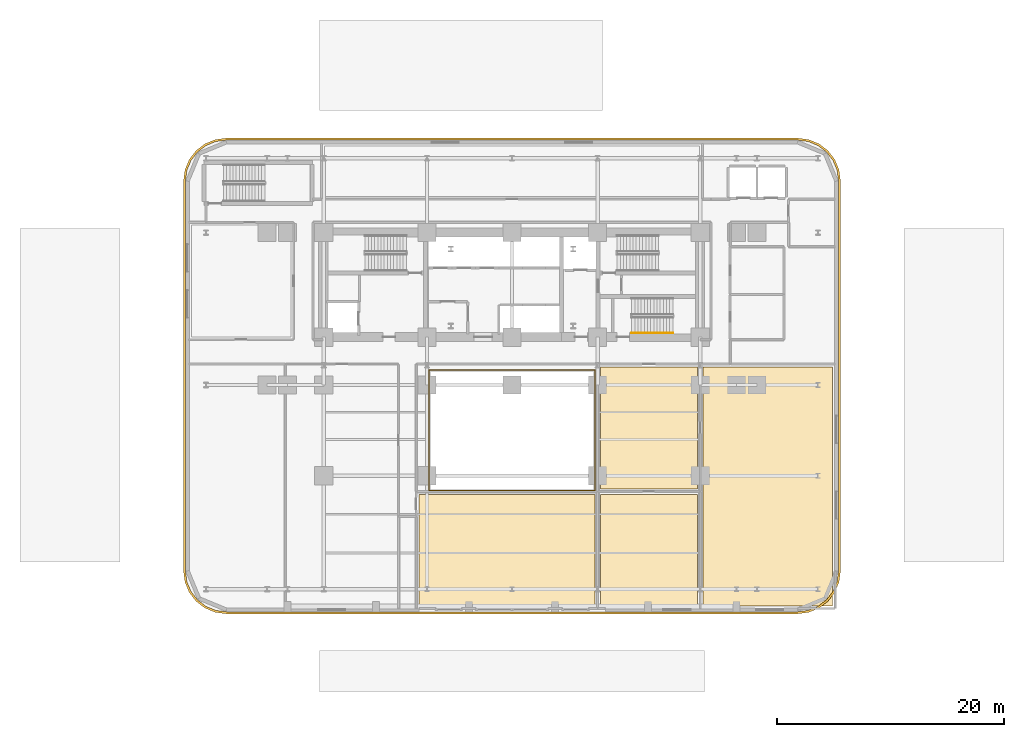
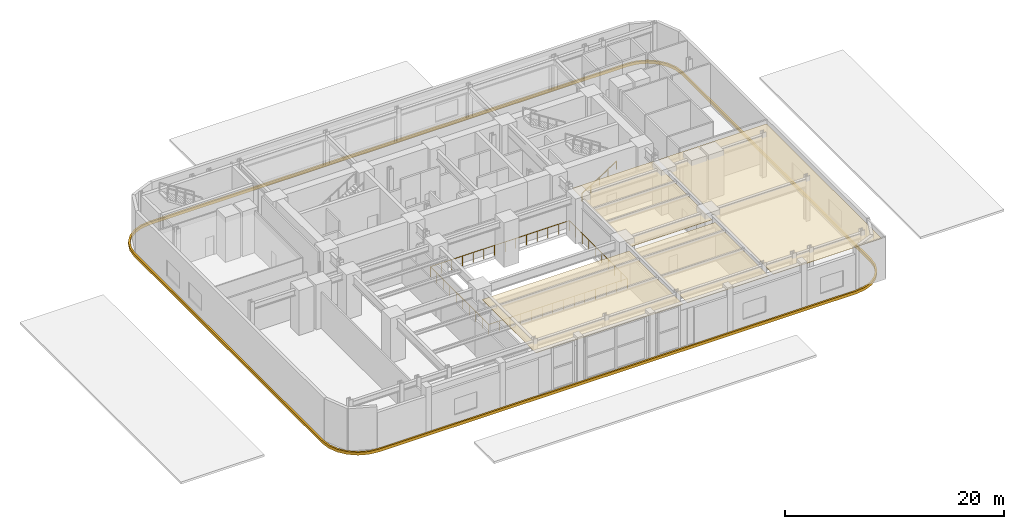
# One storey, part 9 of 12: 5 coverings, 2 railings.
"""IFC4 building model written with IfcOpenShell, lengths in metres."""

from ifc_helpers import new_model, si_unit, direction, frame, origin, origin_2d, place, context, subcontext, project, spatial, polyline, rectangle, outline, extrude, material, layer, layer_set, type_object, element, save


model = new_model("IFC4")

# Units and contexts
model_context = context("Model", 3, precision=1e-05, world=origin(), true_north=direction((0.0, 1.0)))
body_context = subcontext(model_context, "Body", "Model", "MODEL_VIEW")
ifc_project = project(units=[si_unit("LENGTHUNIT", "METRE"), si_unit("AREAUNIT", "SQUARE_METRE"), si_unit("VOLUMEUNIT", "CUBIC_METRE"), si_unit("PLANEANGLEUNIT", "RADIAN"), si_unit("MASSUNIT", "GRAM", prefix="KILO")], contexts=[model_context])

# Site, building, storey
site_placement = place(None, origin())
site = spatial("IfcSite", under=ifc_project, at=site_placement, CompositionType="ELEMENT")
building_placement = place(site_placement, origin())
building = spatial("IfcBuilding", under=site, at=building_placement, Name="Zarnavel Station Tower", CompositionType="ELEMENT")
storey_placement = place(building_placement, frame((0.0, 0.0, 5.39990234375)))
storey = spatial("IfcBuildingStorey", under=building, at=storey_placement, Name="L02", CompositionType="ELEMENT", Elevation=5.39990234375)

# Coverings
ifc_material_1 = material(Name="Perforated Gypsum and Mineral-Wool Acoustic Ceiling", Category="concrete")
ifc_layer = layer(ifc_material_1, 0.0400390625)
ifc_layer_set = layer_set([ifc_layer], Name="COV_CEIL_ACOUSTIC")
covering_type_1 = type_object("IfcCoveringType", Name="COV_CEIL_ACOUSTIC", PredefinedType="CEILING", material=ifc_layer_set)
covering_1_placement = place(storey_placement, frame((0.0, 0.0, 4.380126953125)))
element("IfcCovering", 1, at=covering_1_placement, inside=storey, type_object=covering_type_1, Name="L02 CAFE Acoustic Ceiling", PredefinedType="CEILING", context=body_context, shape_type="SweptSolid", body=[
    extrude(outline(polyline([(20.60009765625, 4.1298828125), (36.10009765625, 4.1298828125), (36.10009765625, 13.949951171875), (20.60009765625, 13.949951171875), (20.60009765625, 4.1298828125)])), origin(), (0.0, 0.0, 1.0), 0.0400390625),
])
covering_2_placement = place(storey_placement, frame((0.0, 0.0, 4.380126953125)))
element("IfcCovering", 2, at=covering_2_placement, inside=storey, type_object=covering_type_1, Name="L02 RET1 Acoustic Ceiling", PredefinedType="CEILING", context=body_context, shape_type="SweptSolid", body=[
    extrude(outline(polyline([(36.60009765625, 4.1298828125), (45.14990234375, 4.1298828125), (45.14990234375, 13.949951171875), (36.60009765625, 13.949951171875), (36.60009765625, 4.1298828125)])), origin(), (0.0, 0.0, 1.0), 0.0400390625),
])
covering_3_placement = place(storey_placement, frame((0.0, 0.0, 4.380126953125)))
element("IfcCovering", 3, at=covering_3_placement, inside=storey, type_object=covering_type_1, Name="L02 RET3 Acoustic Ceiling", PredefinedType="CEILING", context=body_context, shape_type="SweptSolid", body=[
    extrude(outline(polyline([(36.60009765625, 14.449951171875), (45.14990234375, 14.449951171875), (45.14990234375, 25.199951171875), (36.60009765625, 25.199951171875), (36.60009765625, 14.449951171875)])), origin(), (0.0, 0.0, 1.0), 0.0400390625),
])
covering_4_placement = place(storey_placement, frame((0.0, 0.0, 4.380126953125)))
element("IfcCovering", 4, at=covering_4_placement, inside=storey, type_object=covering_type_1, Name="L02 RET4 Acoustic Ceiling", PredefinedType="CEILING", context=body_context, shape_type="SweptSolid", body=[
    extrude(outline(polyline([(45.64990234375, 4.1298828125), (57.070068359375, 4.1298828125), (57.070068359375, 25.199951171875), (45.64990234375, 25.199951171875), (45.64990234375, 4.1298828125)])), origin(), (0.0, 0.0, 1.0), 0.0400390625),
])
ifc_material_2 = material(Name="Precast concrete C45/55 (Pale Travertine Slab Band)", Category="masonry")
covering_type_2 = type_object("IfcCoveringType", Name="COV_TRAVERTINE_BAND", PredefinedType="CLADDING", material=ifc_material_2)
covering_5_placement = place(storey_placement, frame((0.0, 0.0, -0.260009765625)))
element("IfcCovering", 5, at=covering_5_placement, inside=storey, type_object=covering_type_2, Name="L02 Pale Travertine Slab-Edge Band", PredefinedType="CLADDING", context=body_context, shape_type="SweptSolid", body=[
    extrude(outline(polyline([(54.0, 3.419921875), (54.978271484375, 3.548828125), (55.889892578125, 3.926513671875), (56.6728515625, 4.527099609375), (57.273681640625, 5.31005859375), (57.651123046875, 6.2216796875), (57.780029296875, 7.199951171875), (57.780029296875, 41.60009765625), (57.651123046875, 42.578369140625), (57.273681640625, 43.489990234375), (56.6728515625, 44.27294921875), (55.889892578125, 44.87353515625), (54.978271484375, 45.251220703125), (54.0, 45.3798828125), (3.60009765625, 45.3798828125), (2.62158203125, 45.251220703125), (1.7099609375, 44.87353515625), (0.927001953125, 44.27294921875), (0.326416015625, 43.489990234375), (-0.05126953125, 42.578369140625), (-0.179931640625, 41.60009765625), (-0.179931640625, 7.199951171875), (-0.05126953125, 6.2216796875), (0.326416015625, 5.31005859375), (0.927001953125, 4.527099609375), (1.7099609375, 3.926513671875), (2.62158203125, 3.548828125), (3.60009765625, 3.419921875), (54.0, 3.419921875)]), holes=[polyline([(54.0, 3.60009765625), (54.931640625, 3.72265625), (55.800048828125, 4.082275390625), (56.545654296875, 4.654296875), (57.11767578125, 5.39990234375), (57.477294921875, 6.268310546875), (57.60009765625, 7.199951171875), (57.60009765625, 41.60009765625), (57.477294921875, 42.53173828125), (57.11767578125, 43.39990234375), (56.545654296875, 44.1455078125), (55.800048828125, 44.7177734375), (54.931640625, 45.077392578125), (54.0, 45.199951171875), (3.60009765625, 45.199951171875), (2.668212890625, 45.077392578125), (1.800048828125, 44.7177734375), (1.054443359375, 44.1455078125), (0.482421875, 43.39990234375), (0.122802734375, 42.53173828125), (0.0, 41.60009765625), (0.0, 7.199951171875), (0.122802734375, 6.268310546875), (0.482421875, 5.39990234375), (1.054443359375, 4.654296875), (1.800048828125, 4.082275390625), (2.668212890625, 3.72265625), (3.60009765625, 3.60009765625), (54.0, 3.60009765625)])]), origin(), (0.0, 0.0, 1.0), 0.320068359375),
])

# Railings
ifc_material_3 = material(Name="Painted Steel S355J2 Balustrade", Category="steel")
railing_type_1 = type_object("IfcRailingType", Name="GR_INT_1150", PredefinedType="GUARDRAIL", material=ifc_material_3)
railing_1_placement = place(storey_placement, frame((21.47998046875, 14.280029296875, 0.0)))
element("IfcRailing", 6, at=railing_1_placement, inside=storey, type_object=railing_type_1, Name="L02 Atrium Void Guardrail", PredefinedType="GUARDRAIL", context=body_context, shape_type="SweptSolid", body=[
    extrude(rectangle(XDim=0.048095703125, YDim=0.048095703125, at=origin_2d()), frame((0.001953125, 0.0, 1.1259765625), z_axis=(1.0, 0.0, 0.0), x_axis=(0.0, 1.0, 0.0)), (0.0, 0.0, 1.0), 14.63623046875),
    extrude(rectangle(XDim=0.048095703125, YDim=0.048095703125, at=origin_2d()), frame((14.64013671875, 0.001953125, 1.1259765625), z_axis=(0.0, 1.0, 0.0), x_axis=(-1.0, 0.0, 0.0)), (0.0, 0.0, 1.0), 10.635986328125),
    extrude(rectangle(XDim=0.048095703125, YDim=0.048095703125, at=origin_2d()), frame((14.63818359375, 10.639892578125, 1.1259765625), z_axis=(-1.0, 0.0, 0.0), x_axis=(0.0, -1.0, 0.0)), (0.0, 0.0, 1.0), 14.63623046875),
    extrude(rectangle(XDim=0.048095703125, YDim=0.048095703125, at=origin_2d()), frame((0.0, 10.637939453125, 1.1259765625), z_axis=(0.0, -1.0, 0.0), x_axis=(1.0, 0.0, 0.0)), (0.0, 0.0, 1.0), 10.635986328125),
    extrude(rectangle(XDim=0.0419921875, YDim=0.0419921875, at=origin_2d()), origin(), (0.0, 0.0, 1.0), 1.101806640625),
    extrude(rectangle(XDim=0.0419921875, YDim=0.0419921875, at=origin_2d()), frame((1.126220703125, 0.0, 0.0)), (0.0, 0.0, 1.0), 1.101806640625),
    extrude(rectangle(XDim=0.0419921875, YDim=0.0419921875, at=origin_2d()), frame((2.25244140625, 0.0, 0.0)), (0.0, 0.0, 1.0), 1.101806640625),
    extrude(rectangle(XDim=0.0419921875, YDim=0.0419921875, at=origin_2d()), frame((3.37841796875, 0.0, 0.0)), (0.0, 0.0, 1.0), 1.101806640625),
    extrude(rectangle(XDim=0.0419921875, YDim=0.0419921875, at=origin_2d()), frame((4.504638671875, 0.0, 0.0)), (0.0, 0.0, 1.0), 1.101806640625),
    extrude(rectangle(XDim=0.0419921875, YDim=0.0419921875, at=origin_2d()), frame((5.630859375, 0.0, 0.0)), (0.0, 0.0, 1.0), 1.101806640625),
    extrude(rectangle(XDim=0.0419921875, YDim=0.0419921875, at=origin_2d()), frame((6.757080078125, 0.0, 0.0)), (0.0, 0.0, 1.0), 1.101806640625),
    extrude(rectangle(XDim=0.0419921875, YDim=0.0419921875, at=origin_2d()), frame((7.883056640625, 0.0, 0.0)), (0.0, 0.0, 1.0), 1.101806640625),
    extrude(rectangle(XDim=0.0419921875, YDim=0.0419921875, at=origin_2d()), frame((9.00927734375, 0.0, 0.0)), (0.0, 0.0, 1.0), 1.101806640625),
    extrude(rectangle(XDim=0.0419921875, YDim=0.0419921875, at=origin_2d()), frame((10.135498046875, 0.0, 0.0)), (0.0, 0.0, 1.0), 1.101806640625),
    extrude(rectangle(XDim=0.0419921875, YDim=0.0419921875, at=origin_2d()), frame((11.26171875, 0.0, 0.0)), (0.0, 0.0, 1.0), 1.101806640625),
    extrude(rectangle(XDim=0.0419921875, YDim=0.0419921875, at=origin_2d()), frame((12.3876953125, 0.0, 0.0)), (0.0, 0.0, 1.0), 1.101806640625),
    extrude(rectangle(XDim=0.0419921875, YDim=0.0419921875, at=origin_2d()), frame((13.513916015625, 0.0, 0.0)), (0.0, 0.0, 1.0), 1.101806640625),
    extrude(rectangle(XDim=0.0419921875, YDim=0.0419921875, at=origin_2d()), frame((14.64013671875, 0.0, 0.0)), (0.0, 0.0, 1.0), 1.101806640625),
    extrude(rectangle(XDim=0.0419921875, YDim=0.0419921875, at=origin_2d()), frame((14.64013671875, 1.18212890625, 0.0)), (0.0, 0.0, 1.0), 1.101806640625),
    extrude(rectangle(XDim=0.0419921875, YDim=0.0419921875, at=origin_2d()), frame((14.64013671875, 2.364501953125, 0.0)), (0.0, 0.0, 1.0), 1.101806640625),
    extrude(rectangle(XDim=0.0419921875, YDim=0.0419921875, at=origin_2d()), frame((14.64013671875, 3.546630859375, 0.0)), (0.0, 0.0, 1.0), 1.101806640625),
    extrude(rectangle(XDim=0.0419921875, YDim=0.0419921875, at=origin_2d()), frame((14.64013671875, 4.728759765625, 0.0)), (0.0, 0.0, 1.0), 1.101806640625),
    extrude(rectangle(XDim=0.0419921875, YDim=0.0419921875, at=origin_2d()), frame((14.64013671875, 5.9111328125, 0.0)), (0.0, 0.0, 1.0), 1.101806640625),
    extrude(rectangle(XDim=0.0419921875, YDim=0.0419921875, at=origin_2d()), frame((14.64013671875, 7.09326171875, 0.0)), (0.0, 0.0, 1.0), 1.101806640625),
    extrude(rectangle(XDim=0.0419921875, YDim=0.0419921875, at=origin_2d()), frame((14.64013671875, 8.275390625, 0.0)), (0.0, 0.0, 1.0), 1.101806640625),
    extrude(rectangle(XDim=0.0419921875, YDim=0.0419921875, at=origin_2d()), frame((14.64013671875, 9.457763671875, 0.0)), (0.0, 0.0, 1.0), 1.101806640625),
    extrude(rectangle(XDim=0.0419921875, YDim=0.0419921875, at=origin_2d()), frame((14.64013671875, 10.639892578125, 0.0)), (0.0, 0.0, 1.0), 1.101806640625),
    extrude(rectangle(XDim=0.0419921875, YDim=0.0419921875, at=origin_2d()), frame((13.513916015625, 10.639892578125, 0.0)), (0.0, 0.0, 1.0), 1.101806640625),
    extrude(rectangle(XDim=0.0419921875, YDim=0.0419921875, at=origin_2d()), frame((12.3876953125, 10.639892578125, 0.0)), (0.0, 0.0, 1.0), 1.101806640625),
    extrude(rectangle(XDim=0.0419921875, YDim=0.0419921875, at=origin_2d()), frame((11.26171875, 10.639892578125, 0.0)), (0.0, 0.0, 1.0), 1.101806640625),
    extrude(rectangle(XDim=0.0419921875, YDim=0.0419921875, at=origin_2d()), frame((10.135498046875, 10.639892578125, 0.0)), (0.0, 0.0, 1.0), 1.101806640625),
    extrude(rectangle(XDim=0.0419921875, YDim=0.0419921875, at=origin_2d()), frame((9.00927734375, 10.639892578125, 0.0)), (0.0, 0.0, 1.0), 1.101806640625),
    extrude(rectangle(XDim=0.0419921875, YDim=0.0419921875, at=origin_2d()), frame((7.883056640625, 10.639892578125, 0.0)), (0.0, 0.0, 1.0), 1.101806640625),
    extrude(rectangle(XDim=0.0419921875, YDim=0.0419921875, at=origin_2d()), frame((6.757080078125, 10.639892578125, 0.0)), (0.0, 0.0, 1.0), 1.101806640625),
    extrude(rectangle(XDim=0.0419921875, YDim=0.0419921875, at=origin_2d()), frame((5.630859375, 10.639892578125, 0.0)), (0.0, 0.0, 1.0), 1.101806640625),
    extrude(rectangle(XDim=0.0419921875, YDim=0.0419921875, at=origin_2d()), frame((4.504638671875, 10.639892578125, 0.0)), (0.0, 0.0, 1.0), 1.101806640625),
    extrude(rectangle(XDim=0.0419921875, YDim=0.0419921875, at=origin_2d()), frame((3.37841796875, 10.639892578125, 0.0)), (0.0, 0.0, 1.0), 1.101806640625),
    extrude(rectangle(XDim=0.0419921875, YDim=0.0419921875, at=origin_2d()), frame((2.25244140625, 10.639892578125, 0.0)), (0.0, 0.0, 1.0), 1.101806640625),
    extrude(rectangle(XDim=0.0419921875, YDim=0.0419921875, at=origin_2d()), frame((1.126220703125, 10.639892578125, 0.0)), (0.0, 0.0, 1.0), 1.101806640625),
    extrude(rectangle(XDim=0.0419921875, YDim=0.0419921875, at=origin_2d()), frame((0.0, 10.639892578125, 0.0)), (0.0, 0.0, 1.0), 1.101806640625),
    extrude(rectangle(XDim=0.0419921875, YDim=0.0419921875, at=origin_2d()), frame((0.0, 9.457763671875, 0.0)), (0.0, 0.0, 1.0), 1.101806640625),
    extrude(rectangle(XDim=0.0419921875, YDim=0.0419921875, at=origin_2d()), frame((0.0, 8.275390625, 0.0)), (0.0, 0.0, 1.0), 1.101806640625),
    extrude(rectangle(XDim=0.0419921875, YDim=0.0419921875, at=origin_2d()), frame((0.0, 7.09326171875, 0.0)), (0.0, 0.0, 1.0), 1.101806640625),
    extrude(rectangle(XDim=0.0419921875, YDim=0.0419921875, at=origin_2d()), frame((0.0, 5.9111328125, 0.0)), (0.0, 0.0, 1.0), 1.101806640625),
    extrude(rectangle(XDim=0.0419921875, YDim=0.0419921875, at=origin_2d()), frame((0.0, 4.728759765625, 0.0)), (0.0, 0.0, 1.0), 1.101806640625),
    extrude(rectangle(XDim=0.0419921875, YDim=0.0419921875, at=origin_2d()), frame((0.0, 3.546630859375, 0.0)), (0.0, 0.0, 1.0), 1.101806640625),
    extrude(rectangle(XDim=0.0419921875, YDim=0.0419921875, at=origin_2d()), frame((0.0, 2.364501953125, 0.0)), (0.0, 0.0, 1.0), 1.101806640625),
    extrude(rectangle(XDim=0.0419921875, YDim=0.0419921875, at=origin_2d()), frame((0.0, 1.18212890625, 0.0)), (0.0, 0.0, 1.0), 1.101806640625),
])
ifc_material_4 = material(Name="Brushed Stainless Steel S355J2 Handrail", Category="steel")
railing_type_2 = type_object("IfcRailingType", Name="HR_STAIR_900", PredefinedType="HANDRAIL", material=ifc_material_4)
railing_2_placement = place(storey_placement, frame((39.35009765625, 28.169921875, 0.1787109375)))
element("IfcRailing", 7, at=railing_2_placement, inside=storey, type_object=railing_type_2, Name="L02 ST3 stair handrail 1", PredefinedType="HANDRAIL", context=body_context, shape_type="SweptSolid", body=[
    extrude(rectangle(XDim=0.048095703125, YDim=0.048095703125, at=origin_2d()), frame((0.001708984375, 0.0, 0.876953125), z_axis=(0.843137146238, 0.0, 0.537698570422), x_axis=(0.0, 1.0, 0.0)), (0.0, 0.0, 1.0), 4.31298828125),
    extrude(rectangle(XDim=0.0419921875, YDim=0.0419921875, at=origin_2d()), origin(), (0.0, 0.0, 1.0), 0.851806640625),
    extrude(rectangle(XDim=0.0419921875, YDim=0.0419921875, at=origin_2d()), frame((0.909912109375, 0.0, 0.580322265625)), (0.0, 0.0, 1.0), 0.851806640625),
    extrude(rectangle(XDim=0.0419921875, YDim=0.0419921875, at=origin_2d()), frame((1.81982421875, 0.0, 1.16064453125)), (0.0, 0.0, 1.0), 0.851806640625),
    extrude(rectangle(XDim=0.0419921875, YDim=0.0419921875, at=origin_2d()), frame((2.72998046875, 0.0, 1.740966796875)), (0.0, 0.0, 1.0), 0.851806640625),
    extrude(rectangle(XDim=0.0419921875, YDim=0.0419921875, at=origin_2d()), frame((3.639892578125, 0.0, 2.3212890625)), (0.0, 0.0, 1.0), 0.851806640625),
])

save(model, "model.ifc")
